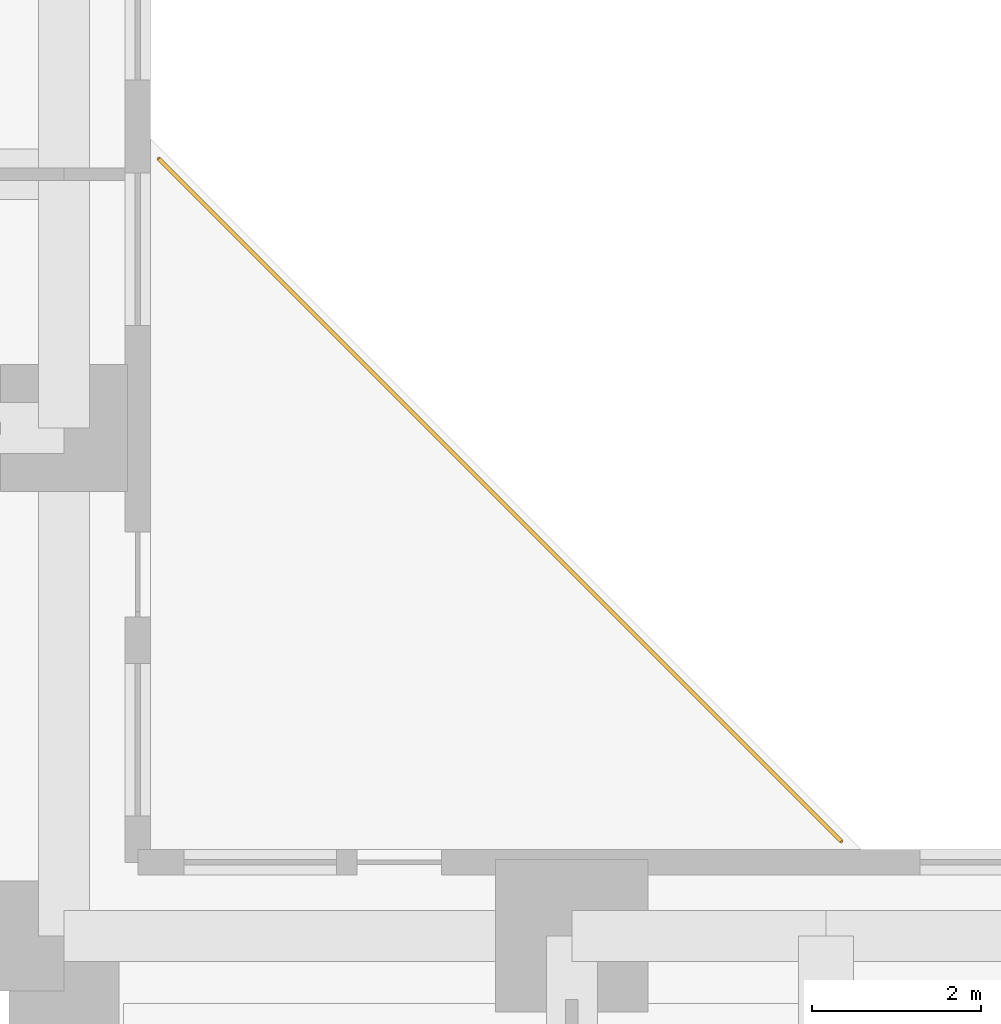
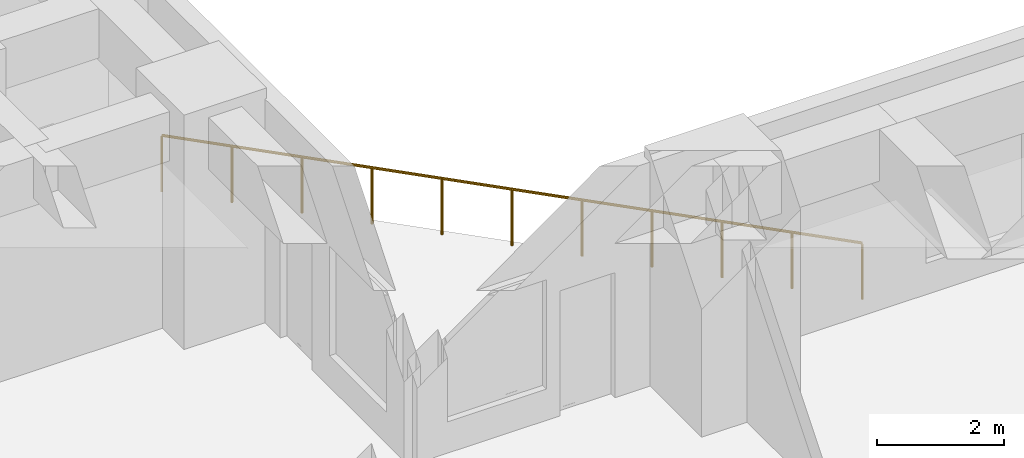
# One storey, part 10 of 10: 1 railing.
"""IFC4 building model written with IfcOpenShell, lengths in metres."""

from ifc_helpers import new_model, si_unit, direction, frame, origin, origin_2d, place, context, subcontext, project, spatial, circle, extrude, material, constituent, constituent_set, type_object, element, save


model = new_model("IFC4")

# Units and contexts
model_context = context("Model", 3, precision=1e-05, world=origin(), true_north=direction((0.0, 1.0)))
body_context = subcontext(model_context, "Body", "Model", "MODEL_VIEW")
ifc_project = project(units=[si_unit("LENGTHUNIT", "METRE"), si_unit("AREAUNIT", "SQUARE_METRE"), si_unit("VOLUMEUNIT", "CUBIC_METRE"), si_unit("PLANEANGLEUNIT", "RADIAN"), si_unit("MASSUNIT", "GRAM", prefix="KILO")], contexts=[model_context])

# Site, building, storey
site_placement = place(None, origin())
site = spatial("IfcSite", under=ifc_project, at=site_placement, CompositionType="ELEMENT")
building_placement = place(site_placement, origin())
building = spatial("IfcBuilding", under=site, at=building_placement, Name="Torre Cruceta", CompositionType="ELEMENT")
storey_placement = place(building_placement, frame((0.0, 0.0, 5.0)))
storey = spatial("IfcBuildingStorey", under=building, at=storey_placement, Name="L01", CompositionType="ELEMENT", Elevation=5.0)

# Railing
ifc_material_1 = material(Name="Stainless steel 1.4401", Category="steel")
ifc_constituent_1 = constituent(ifc_material_1, Name="Frame")
ifc_material_2 = material(Name="Laminated safety glass", Category="glass")
ifc_constituent_2 = constituent(ifc_material_2, Name="Infill")
ifc_constituent_set = constituent_set(constituents=[ifc_constituent_1, ifc_constituent_2], Name="Stainless steel and laminated glass balustrade")
railing_type = type_object("IfcRailingType", Name="TERRACE GUARD 1100", PredefinedType="GUARDRAIL", material=ifc_constituent_set)
railing_placement = place(storey_placement, frame((10.1201171875, 18.18115234375, 0.0)))
element("IfcRailing", 1, at=railing_placement, inside=storey, type_object=railing_type, Name="GR1 terrace guard L01 1", PredefinedType="GUARDRAIL", context=body_context, shape_type="SweptSolid", body=[
    extrude(circle(Radius=0.02392578125, at=origin_2d()), frame((0.0, 0.0, 1.076171875), z_axis=(0.707106781187, -0.707106781187, 0.0), x_axis=(0.707106781187, 0.707106781187, 0.0)), (0.0, 0.0, 1.0), 11.400146484375),
    extrude(circle(Radius=0.02099609375, at=origin_2d()), origin(), (0.0, 0.0, 1.0), 1.052001953125),
    extrude(circle(Radius=0.02099609375, at=origin_2d()), frame((0.80615234375, -0.80615234375, 0.0)), (0.0, 0.0, 1.0), 1.052001953125),
    extrude(circle(Radius=0.02099609375, at=origin_2d()), frame((1.6123046875, -1.6123046875, 0.0)), (0.0, 0.0, 1.0), 1.052001953125),
    extrude(circle(Radius=0.02099609375, at=origin_2d()), frame((2.418212890625, -2.418212890625, 0.0)), (0.0, 0.0, 1.0), 1.052001953125),
    extrude(circle(Radius=0.02099609375, at=origin_2d()), frame((3.224365234375, -3.224365234375, 0.0)), (0.0, 0.0, 1.0), 1.052001953125),
    extrude(circle(Radius=0.02099609375, at=origin_2d()), frame((4.030517578125, -4.030517578125, 0.0)), (0.0, 0.0, 1.0), 1.052001953125),
    extrude(circle(Radius=0.02099609375, at=origin_2d()), frame((4.836669921875, -4.836669921875, 0.0)), (0.0, 0.0, 1.0), 1.052001953125),
    extrude(circle(Radius=0.02099609375, at=origin_2d()), frame((5.642822265625, -5.642822265625, 0.0)), (0.0, 0.0, 1.0), 1.052001953125),
    extrude(circle(Radius=0.02099609375, at=origin_2d()), frame((6.44873046875, -6.44873046875, 0.0)), (0.0, 0.0, 1.0), 1.052001953125),
    extrude(circle(Radius=0.02099609375, at=origin_2d()), frame((7.2548828125, -7.2548828125, 0.0)), (0.0, 0.0, 1.0), 1.052001953125),
    extrude(circle(Radius=0.02099609375, at=origin_2d()), frame((8.06103515625, -8.06103515625, 0.0)), (0.0, 0.0, 1.0), 1.052001953125),
])

save(model, "model.ifc")
